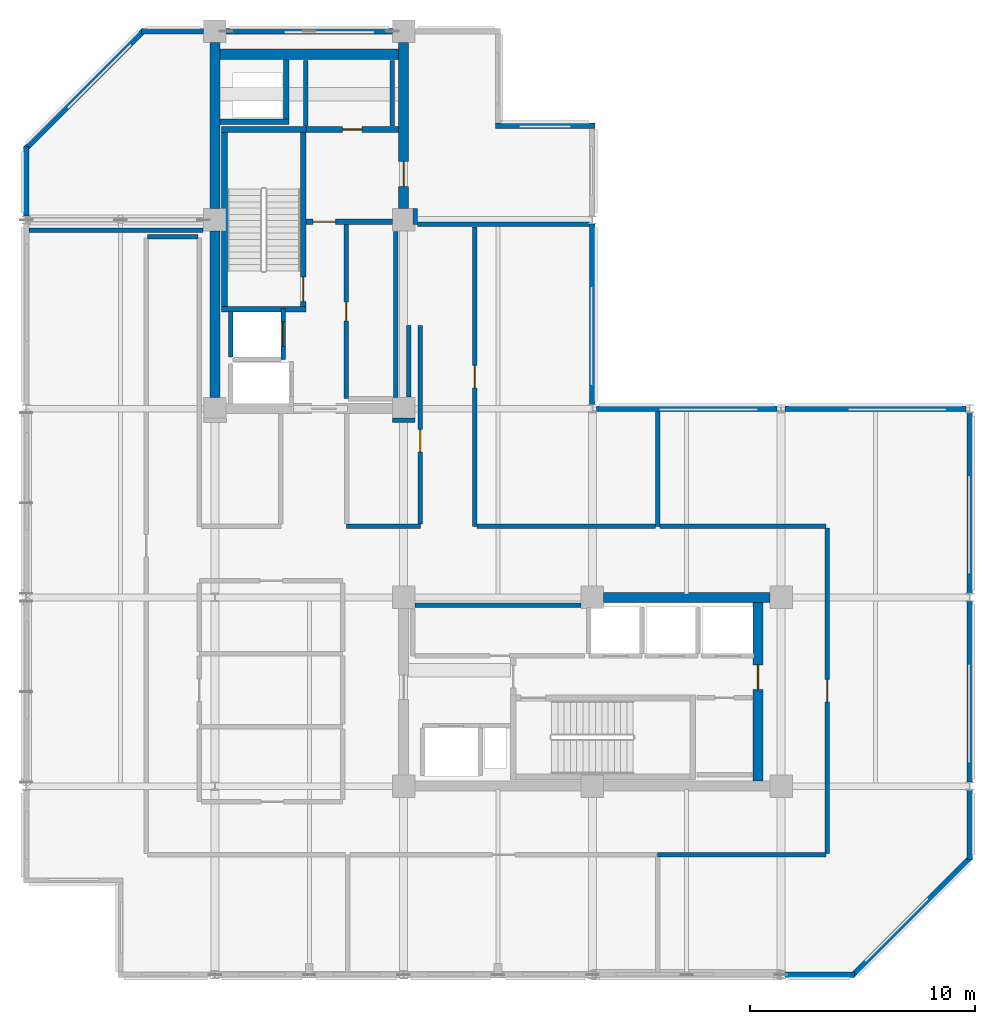
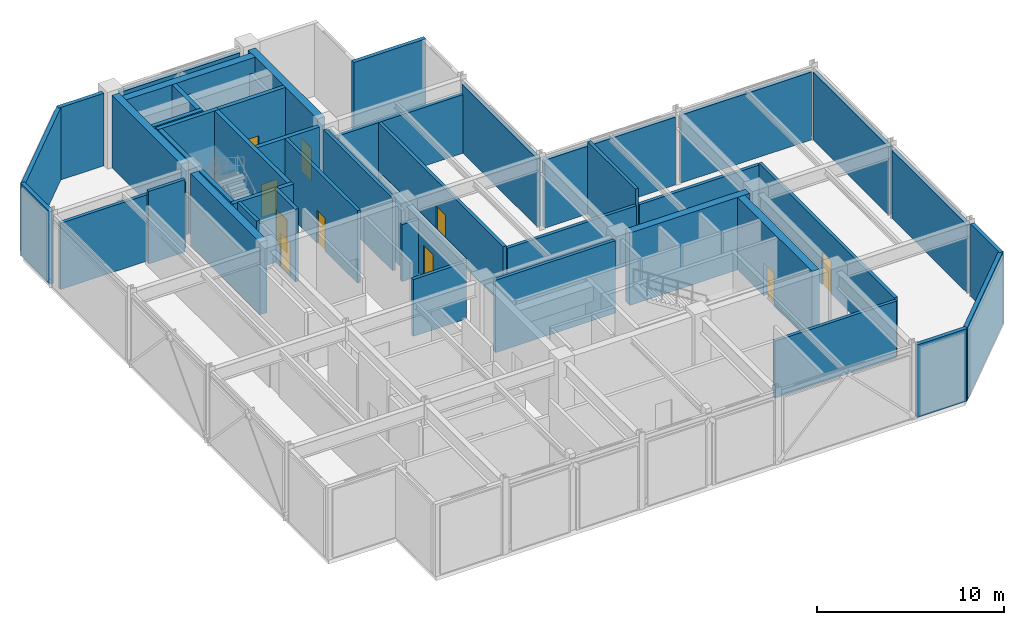
# One storey, part 6 of 10: 48 walls, 10 doors, 10 openings.
"""IFC4 building model written with IfcOpenShell, lengths in metres."""

from ifc_helpers import new_model, si_unit, direction, frame, frame_2d, origin, place, context, subcontext, project, spatial, rectangle, extrude, material, layer, layer_set, type_object, element, fill, save


model = new_model("IFC4")

# Units and contexts
model_context = context("Model", 3, precision=1e-05, world=origin(), true_north=direction((0.0, 1.0)))
body_context = subcontext(model_context, "Body", "Model", "MODEL_VIEW")
ifc_project = project(units=[si_unit("LENGTHUNIT", "METRE"), si_unit("AREAUNIT", "SQUARE_METRE"), si_unit("VOLUMEUNIT", "CUBIC_METRE"), si_unit("PLANEANGLEUNIT", "RADIAN"), si_unit("MASSUNIT", "GRAM", prefix="KILO")], contexts=[model_context])

# Site, building, storey
site_placement = place(None, origin())
site = spatial("IfcSite", under=ifc_project, at=site_placement, CompositionType="ELEMENT")
building_placement = place(site_placement, origin())
building = spatial("IfcBuilding", under=site, at=building_placement, Name="Nerrivon Quay Data Exchange", CompositionType="ELEMENT")
storey_placement = place(building_placement, frame((0.0, 0.0, 245.199951171875)))
storey = spatial("IfcBuildingStorey", under=building, at=storey_placement, Name="L58", CompositionType="ELEMENT", Elevation=245.199951171875)

# Walls
ifc_material_1 = material(Name="Architectural terracotta precast concrete N50 (50 MPa)", Category="masonry")
ifc_layer_1 = layer(ifc_material_1, 0.239990234375)
ifc_layer_set_1 = layer_set([ifc_layer_1], Name="Architectural terracotta precast concrete N50 (50 MPa)")
wall_type_1 = type_object("IfcWallType", Name="EW-PREC-240", PredefinedType="STANDARD", material=ifc_layer_set_1)
wall_1_placement = place(storey_placement, frame((42.052734375, 5.252685546875, 0.0), z_axis=(0.0, 0.0, 1.0), x_axis=(-0.707106781187, -0.707106781187, 0.0)))
element("IfcWall", 1, at=wall_1_placement, inside=storey, type_object=wall_type_1, Name="L58 Plant Enclosure Wall 1", PredefinedType="STANDARD", context=body_context, shape_type="SweptSolid", body=[
    extrude(rectangle(XDim=7.5029296875, YDim=0.239990234375, at=frame_2d((3.75146484375, 0.0))), origin(), (0.0, 0.0, 1.0), 4.72509765625),
])
for number, where, z_axis, x_axis, name in (
    (2, (36.874755859375, 0.0, 0.0), (0.0, 0.0, 1.0), (-1.0, 0.0, 0.0), "L58 Plant Enclosure Wall 2"),
    (3, (0.0, 33.77490234375, 0.0), (0.0, 0.0, 1.0), (0.0, 1.0, 0.0), "L58 Plant Enclosure Wall 15"),
):
    element("IfcWall", number, at=place(storey_placement, frame(where, z_axis=z_axis, x_axis=x_axis)), inside=storey, type_object=wall_type_1, Name=name, PredefinedType="STANDARD", context=body_context, shape_type="SweptSolid", body=[
        extrude(rectangle(XDim=3.099853515625, YDim=0.239990234375, at=frame_2d((1.5498046875, 0.0))), origin(), (0.0, 0.0, 1.0), 4.72509765625),
    ])
wall_2_placement = place(storey_placement, frame((-0.052734375, 36.747314453125, 0.0), z_axis=(0.0, 0.0, 1.0), x_axis=(0.707106781187, 0.707106781187, 0.0)))
element("IfcWall", 4, at=wall_2_placement, inside=storey, type_object=wall_type_1, Name="L58 Plant Enclosure Wall 16", PredefinedType="STANDARD", context=body_context, shape_type="SweptSolid", body=[
    extrude(rectangle(XDim=7.5029296875, YDim=0.239990234375, at=frame_2d((3.75146484375, 0.0))), origin(), (0.0, 0.0, 1.0), 4.72509765625),
])
wall_3_placement = place(storey_placement, frame((5.125244140625, 42.0, 0.0), z_axis=(0.0, 0.0, 1.0), x_axis=(1.0, 0.0, 0.0)))
element("IfcWall", 5, at=wall_3_placement, inside=storey, type_object=wall_type_1, Name="L58 Plant Enclosure Wall 17", PredefinedType="STANDARD", context=body_context, shape_type="SweptSolid", body=[
    extrude(rectangle(XDim=2.774658203125, YDim=0.239990234375, at=frame_2d((1.38720703125, 0.0))), origin(), (0.0, 0.0, 1.0), 4.72509765625),
])
wall_4_placement = place(storey_placement, frame((8.89990234375, 42.0, 0.0), z_axis=(0.0, 0.0, 1.0), x_axis=(1.0, 0.0, 0.0)))
element("IfcWall", 6, at=wall_4_placement, inside=storey, type_object=wall_type_1, Name="L58 Plant Enclosure Wall 18", PredefinedType="STANDARD", context=body_context, shape_type="SweptSolid", body=[
    extrude(rectangle(XDim=7.400146484375, YDim=0.239990234375, at=frame_2d((3.7001953125, 0.0))), origin(), (0.0, 0.0, 1.0), 4.425048828125),
])
wall_5_placement = place(storey_placement, frame((20.8798828125, 37.800048828125, 0.0), z_axis=(0.0, 0.0, 1.0), x_axis=(1.0, 0.0, 0.0)))
element("IfcWall", 7, at=wall_5_placement, inside=storey, type_object=wall_type_1, Name="L58 Plant Enclosure Wall 21", PredefinedType="STANDARD", context=body_context, shape_type="SweptSolid", body=[
    extrude(rectangle(XDim=4.440185546875, YDim=0.239990234375, at=frame_2d((2.22021484375, 0.0))), origin(), (0.0, 0.0, 1.0), 4.72509765625),
])
for number, where, z_axis, x_axis, name in (
    (8, (25.199951171875, 33.425048828125, 0.0), (0.0, 0.0, 1.0), (0.0, -1.0, 0.0), "L58 Plant Enclosure Wall 23"),
    (9, (25.375, 25.199951171875, 0.0), (0.0, 0.0, 1.0), (1.0, 0.0, 0.0), "L58 Plant Enclosure Wall 24"),
    (10, (33.77490234375, 25.199951171875, 0.0), (0.0, 0.0, 1.0), (1.0, 0.0, 0.0), "L58 Plant Enclosure Wall 25"),
):
    element("IfcWall", number, at=place(storey_placement, frame(where, z_axis=z_axis, x_axis=x_axis)), inside=storey, type_object=wall_type_1, Name=name, PredefinedType="STANDARD", context=body_context, shape_type="SweptSolid", body=[
        extrude(rectangle(XDim=8.050048828125, YDim=0.239990234375, at=frame_2d((4.02490234375, 0.0))), origin(), (0.0, 0.0, 1.0), 4.425048828125),
    ])
wall_6_placement = place(storey_placement, frame((42.0, 25.02490234375, 0.0), z_axis=(0.0, 0.0, 1.0), x_axis=(0.0, -1.0, 0.0)))
element("IfcWall", 11, at=wall_6_placement, inside=storey, type_object=wall_type_1, Name="L58 Plant Enclosure Wall 26", PredefinedType="STANDARD", context=body_context, shape_type="SweptSolid", body=[
    extrude(rectangle(XDim=8.0498046875, YDim=0.239990234375, at=frame_2d((4.02490234375, 0.0))), origin(), (0.0, 0.0, 1.0), 4.425048828125),
])
wall_7_placement = place(storey_placement, frame((42.0, 16.625, 0.0), z_axis=(0.0, 0.0, 1.0), x_axis=(0.0, -1.0, 0.0)))
element("IfcWall", 12, at=wall_7_placement, inside=storey, type_object=wall_type_1, Name="L58 Plant Enclosure Wall 27", PredefinedType="STANDARD", context=body_context, shape_type="SweptSolid", body=[
    extrude(rectangle(XDim=8.050048828125, YDim=0.239990234375, at=frame_2d((4.02490234375, 0.0))), origin(), (0.0, 0.0, 1.0), 4.425048828125),
])
wall_8_placement = place(storey_placement, frame((42.0, 8.22509765625, 0.0), z_axis=(0.0, 0.0, 1.0), x_axis=(0.0, -1.0, 0.0)))
element("IfcWall", 13, at=wall_8_placement, inside=storey, type_object=wall_type_1, Name="L58 Plant Enclosure Wall 28", PredefinedType="STANDARD", context=body_context, shape_type="SweptSolid", body=[
    extrude(rectangle(XDim=3.099853515625, YDim=0.239990234375, at=frame_2d((1.5498046875, 0.0))), origin(), (0.0, 0.0, 1.0), 4.72509765625),
])
ifc_material_2 = material(Name="Concrete N50 (50 MPa)", Category="concrete")
ifc_layer_2 = layer(ifc_material_2, 0.449951171875)
ifc_layer_set_2 = layer_set([ifc_layer_2], Name="Concrete N50 (50 MPa)")
wall_type_2 = type_object("IfcWallType", Name="WALL-CW-550", PredefinedType="SHEAR", material=ifc_layer_set_2)
wall_9_placement = place(storey_placement, frame((8.39990234375, 25.699951171875, 0.0), z_axis=(0.0, 0.0, 1.0), x_axis=(0.0, 1.0, 0.0)))
element("IfcWall", 14, at=wall_9_placement, inside=storey, type_object=wall_type_2, Name="L58 West Split-Core Shear Wall WCW-W1", PredefinedType="SHEAR", context=body_context, shape_type="SweptSolid", body=[
    extrude(rectangle(XDim=7.400146484375, YDim=0.449951171875, at=frame_2d((3.7001953125, 0.0))), origin(), (0.0, 0.0, 1.0), 4.72509765625),
])
wall_10_placement = place(storey_placement, frame((8.39990234375, 34.10009765625, 0.0), z_axis=(0.0, 0.0, 1.0), x_axis=(0.0, 1.0, 0.0)))
element("IfcWall", 15, at=wall_10_placement, inside=storey, type_object=wall_type_2, Name="L58 West Split-Core Shear Wall WCW-W2", PredefinedType="SHEAR", context=body_context, shape_type="SweptSolid", body=[
    extrude(rectangle(XDim=7.39990234375, YDim=0.449951171875, at=frame_2d((3.699951171875, 0.0))), origin(), (0.0, 0.0, 1.0), 4.72509765625),
])
wall_11_placement = place(storey_placement, frame((8.625, 40.97509765625, 0.0), z_axis=(0.0, 0.0, 1.0), x_axis=(1.0, 0.0, 0.0)))
element("IfcWall", 16, at=wall_11_placement, inside=storey, type_object=wall_type_2, Name="L58 West Split-Core Shear Wall WCW-N1", PredefinedType="SHEAR", context=body_context, shape_type="SweptSolid", body=[
    extrude(rectangle(XDim=7.949951171875, YDim=0.449951171875, at=frame_2d((3.97509765625, 0.0))), origin(), (0.0, 0.0, 1.0), 4.72509765625),
])

# Wall, opening, door
wall_12_placement = place(storey_placement, frame((16.800048828125, 34.10009765625, 0.0), z_axis=(0.0, 0.0, 1.0), x_axis=(0.0, 1.0, 0.0)))
wall_12 = element("IfcWall", 17, at=wall_12_placement, inside=storey, type_object=wall_type_2, Name="L58 West Split-Core Shear Wall WCW-E1", PredefinedType="SHEAR", context=body_context, shape_type="SweptSolid", body=[
    extrude(rectangle(XDim=7.39990234375, YDim=0.449951171875, at=frame_2d((3.699951171875, 0.0))), origin(), (0.0, 0.0, 1.0), 4.72509765625),
])
opening_1_placement = place(wall_12_placement, frame((1.0, 0.0, 0.0)))
opening_1 = element("IfcOpeningElement", 18, at=opening_1_placement, cuts=wall_12, Name="Opening FD-120", PredefinedType="OPENING", context=body_context, shape_type="SweptSolid", body=[
    extrude(rectangle(XDim=1.10009765625, YDim=2.14990234375, at=frame_2d((0.550048828125, 1.074951171875))), frame((0.0, 0.23486328125, 0.0), z_axis=(0.0, -1.0, 0.0), x_axis=(1.0, 0.0, 0.0)), (0.0, 0.0, 1.0), 0.469970703125),
])
ifc_material_3 = material(Name="Powder-coated galvanized steel sheet", Category="steel")
door_type_1 = type_object("IfcDoorType", Name="DR-FD120-1100", OperationType="NOTDEFINED", PredefinedType="DOOR", material=ifc_material_3)
door_1_placement = place(opening_1_placement, origin())
door_1 = element("IfcDoor", 19, at=door_1_placement, inside=storey, type_object=door_type_1, Name="L58 West Core Lobby Fire Door", OperationType="SINGLE_SWING_RIGHT", OverallHeight=2.14990234375, OverallWidth=1.10009765625, PredefinedType="DOOR", context=body_context, shape_type="SweptSolid", body=[
    extrude(rectangle(XDim=1.10009765625, YDim=2.14990234375, at=frame_2d((0.550048828125, 1.074951171875))), frame((0.0, 0.02490234375, 0.0), z_axis=(0.0, -1.0, 0.0), x_axis=(1.0, 0.0, 0.0)), (0.0, 0.0, 1.0), 0.050048828125),
])
fill(opening_1, door_1)

wall_13_placement = place(storey_placement, frame((32.574951171875, 8.625, 0.0), z_axis=(0.0, 0.0, 1.0), x_axis=(0.0, 1.0, 0.0)))
wall_13 = element("IfcWall", 20, at=wall_13_placement, inside=storey, type_object=wall_type_2, Name="L58 East Split-Core Shear Wall ECW-E1", PredefinedType="SHEAR", context=body_context, shape_type="SweptSolid", body=[
    extrude(rectangle(XDim=7.949951171875, YDim=0.449951171875, at=frame_2d((3.97509765625, 0.0))), origin(), (0.0, 0.0, 1.0), 4.72509765625),
])
opening_2_placement = place(wall_13_placement, frame((4.074951171875, 0.0, 0.0)))
opening_2 = element("IfcOpeningElement", 21, at=opening_2_placement, cuts=wall_13, Name="Opening FD-120", PredefinedType="OPENING", context=body_context, shape_type="SweptSolid", body=[
    extrude(rectangle(XDim=1.10009765625, YDim=2.14990234375, at=frame_2d((0.550048828125, 1.074951171875))), frame((0.0, 0.23486328125, 0.0), z_axis=(0.0, -1.0, 0.0), x_axis=(1.0, 0.0, 0.0)), (0.0, 0.0, 1.0), 0.469970703125),
])
door_2_placement = place(opening_2_placement, origin())
door_2 = element("IfcDoor", 22, at=door_2_placement, inside=storey, type_object=door_type_1, Name="L58 East Core Lobby Fire Door", OperationType="SINGLE_SWING_RIGHT", OverallHeight=2.14990234375, OverallWidth=1.10009765625, PredefinedType="DOOR", context=body_context, shape_type="SweptSolid", body=[
    extrude(rectangle(XDim=1.10009765625, YDim=2.14990234375, at=frame_2d((0.550048828125, 1.074951171875))), frame((0.0, 0.02490234375, 0.0), z_axis=(0.0, -1.0, 0.0), x_axis=(1.0, 0.0, 0.0)), (0.0, 0.0, 1.0), 0.050048828125),
])
fill(opening_2, door_2)

# Wall
wall_14_placement = place(storey_placement, frame((25.699951171875, 16.800048828125, 0.0), z_axis=(0.0, 0.0, 1.0), x_axis=(1.0, 0.0, 0.0)))
element("IfcWall", 23, at=wall_14_placement, inside=storey, type_object=wall_type_2, Name="L58 East Split-Core Shear Wall ECW-N1", PredefinedType="SHEAR", context=body_context, shape_type="SweptSolid", body=[
    extrude(rectangle(XDim=7.400146484375, YDim=0.449951171875, at=frame_2d((3.7001953125, 0.0))), origin(), (0.0, 0.0, 1.0), 4.72509765625),
])

# Wall, opening, door
ifc_material_4 = material(Name="Gypsum plasterboard on cold-formed framing", Category="gypsum")
ifc_layer_3 = layer(ifc_material_4, 0.199951171875)
ifc_layer_set_3 = layer_set([ifc_layer_3], Name="Gypsum plasterboard on cold-formed framing")
wall_type_3 = type_object("IfcWallType", Name="WALL-FW-200", PredefinedType="PARTITIONING", material=ifc_layer_set_3)
wall_15_placement = place(storey_placement, frame((11.449951171875, 27.39990234375, 0.0), z_axis=(0.0, 0.0, 1.0), x_axis=(0.0, 1.0, 0.0)))
wall_15 = element("IfcWall", 24, at=wall_15_placement, inside=storey, type_object=wall_type_3, Name="L58 Lift Front Wall FFL-1", PredefinedType="PARTITIONING", context=body_context, shape_type="SweptSolid", body=[
    extrude(rectangle(XDim=2.25, YDim=0.199951171875, at=frame_2d((1.125, 0.0))), origin(), (0.0, 0.0, 1.0), 4.72509765625),
])
opening_3_placement = place(wall_15_placement, frame((0.574951171875, 0.0, 0.0)))
opening_3 = element("IfcOpeningElement", 25, at=opening_3_placement, cuts=wall_15, Name="Opening LD-120", PredefinedType="OPENING", context=body_context, shape_type="SweptSolid", body=[
    extrude(rectangle(XDim=1.10009765625, YDim=2.199951171875, at=frame_2d((0.550048828125, 1.10009765625))), frame((0.0, 0.10986328125, 0.0), z_axis=(0.0, -1.0, 0.0), x_axis=(1.0, 0.0, 0.0)), (0.0, 0.0, 1.0), 0.219970703125),
])
door_type_2 = type_object("IfcDoorType", Name="DR-LIFT-LD120", OperationType="DOUBLE_DOOR_SLIDING", PredefinedType="DOOR", material=ifc_material_3)
door_3_placement = place(opening_3_placement, origin())
door_3 = element("IfcDoor", 26, at=door_3_placement, inside=storey, type_object=door_type_2, Name="L58 Lift Landing Sliding Door FFL-1", OperationType="DOUBLE_DOOR_SLIDING", OverallHeight=2.199951171875, OverallWidth=1.10009765625, PredefinedType="DOOR", context=body_context, shape_type="SweptSolid", body=[
    extrude(rectangle(XDim=1.10009765625, YDim=2.199951171875, at=frame_2d((0.550048828125, 1.10009765625))), frame((0.0, 0.02490234375, 0.0), z_axis=(0.0, -1.0, 0.0), x_axis=(1.0, 0.0, 0.0)), (0.0, 0.0, 1.0), 0.050048828125),
])
fill(opening_3, door_3)

# Walls
wall_16_placement = place(storey_placement, frame((9.10009765625, 27.5, 0.0), z_axis=(0.0, 0.0, 1.0), x_axis=(0.0, 1.0, 0.0)))
element("IfcWall", 27, at=wall_16_placement, inside=storey, type_object=wall_type_3, Name="L58 Lift Shaft Wall FFL-1 WEST", PredefinedType="PARTITIONING", context=body_context, shape_type="SweptSolid", body=[
    extrude(rectangle(XDim=2.050048828125, YDim=0.199951171875, at=frame_2d((1.02490234375, 0.0))), origin(), (0.0, 0.0, 1.0), 4.72509765625),
])
wall_17_placement = place(storey_placement, frame((16.449951171875, 25.705078125, 0.0), z_axis=(0.0, 0.0, 1.0), x_axis=(0.0, 1.0, 0.0)))
element("IfcWall", 28, at=wall_17_placement, inside=storey, type_object=wall_type_3, Name="L58 Partition Telemetry Hub Closet", PredefinedType="PARTITIONING", context=body_context, shape_type="SweptSolid", body=[
    extrude(rectangle(XDim=7.389892578125, YDim=0.199951171875, at=frame_2d((3.69482421875, 0.0))), origin(), (0.0, 0.0, 1.0), 4.72509765625),
])

# Wall, opening, door
wall_18_placement = place(storey_placement, frame((14.25, 33.389892578125, 0.0), z_axis=(0.0, 0.0, 1.0), x_axis=(0.0, -1.0, 0.0)))
wall_18 = element("IfcWall", 29, at=wall_18_placement, inside=storey, type_object=wall_type_3, Name="L58 Partition Telemetry Hub Closet", PredefinedType="PARTITIONING", context=body_context, shape_type="SweptSolid", body=[
    extrude(rectangle(XDim=7.739990234375, YDim=0.199951171875, at=frame_2d((3.8701171875, 0.0))), origin(), (0.0, 0.0, 1.0), 4.72509765625),
])
opening_4_placement = place(wall_18_placement, frame((3.445068359375, 0.0, 0.0)))
opening_4 = element("IfcOpeningElement", 30, at=opening_4_placement, cuts=wall_18, Name="Opening FD-60S", PredefinedType="OPENING", context=body_context, shape_type="SweptSolid", body=[
    extrude(rectangle(XDim=0.85009765625, YDim=2.14990234375, at=frame_2d((0.425048828125, 1.074951171875))), frame((0.0, 0.10986328125, 0.0), z_axis=(0.0, -1.0, 0.0), x_axis=(1.0, 0.0, 0.0)), (0.0, 0.0, 1.0), 0.219970703125),
])
ifc_material_5 = material(Name="Engineered hardwood timber", Category="wood")
door_type_3 = type_object("IfcDoorType", Name="DR-FD60-850", OperationType="NOTDEFINED", PredefinedType="DOOR", material=ifc_material_5)
door_4_placement = place(opening_4_placement, origin())
door_4 = element("IfcDoor", 31, at=door_4_placement, inside=storey, type_object=door_type_3, Name="L58 Door Telemetry Hub Closet", OperationType="SINGLE_SWING_RIGHT", OverallHeight=2.14990234375, OverallWidth=0.85009765625, PredefinedType="DOOR", context=body_context, shape_type="SweptSolid", body=[
    extrude(rectangle(XDim=0.85009765625, YDim=2.14990234375, at=frame_2d((0.425048828125, 1.074951171875))), frame((0.0, 0.02490234375, 0.0), z_axis=(0.0, -1.0, 0.0), x_axis=(1.0, 0.0, 0.0)), (0.0, 0.0, 1.0), 0.050048828125),
])
fill(opening_4, door_4)

# Walls
for number, where, z_axis, x_axis, name in (
    (32, (16.300048828125, 37.780029296875, 0.0), (0.0, 0.0, 1.0), (0.0, 1.0, 0.0), "L58 Partition Electrical Switchboard Closet"),
    (33, (12.449951171875, 40.699951171875, 0.0), (0.0, 0.0, 1.0), (0.0, -1.0, 0.0), "L58 Partition Electrical Switchboard Closet"),
):
    element("IfcWall", number, at=place(storey_placement, frame(where, z_axis=z_axis, x_axis=x_axis)), inside=storey, type_object=wall_type_3, Name=name, PredefinedType="PARTITIONING", context=body_context, shape_type="SweptSolid", body=[
        extrude(rectangle(XDim=2.919921875, YDim=0.199951171875, at=frame_2d((1.4599609375, 0.0))), origin(), (0.0, 0.0, 1.0), 3.775146484375),
    ])
wall_19_placement = place(storey_placement, frame((24.695068359375, 16.449951171875, 0.0), z_axis=(0.0, 0.0, 1.0), x_axis=(-1.0, 0.0, 0.0)))
element("IfcWall", 34, at=wall_19_placement, inside=storey, type_object=wall_type_3, Name="L58 Partition High-Zone Telemetry Equipment Store", PredefinedType="PARTITIONING", context=body_context, shape_type="SweptSolid", body=[
    extrude(rectangle(XDim=7.39013671875, YDim=0.199951171875, at=frame_2d((3.695068359375, 0.0))), origin(), (0.0, 0.0, 1.0), 4.72509765625),
])
wall_20_placement = place(storey_placement, frame((17.320068359375, 34.10009765625, 0.0), z_axis=(0.0, 0.0, 1.0), x_axis=(0.0, -1.0, 0.0)))
element("IfcWall", 35, at=wall_20_placement, inside=storey, type_object=wall_type_3, Name="L58 Partition Protected Area of Refuge", PredefinedType="PARTITIONING", context=body_context, shape_type="SweptSolid", body=[
    extrude(rectangle(XDim=0.7001953125, YDim=0.199951171875, at=frame_2d((0.35009765625, 0.0))), origin(), (0.0, 0.0, 1.0), 3.824951171875),
])
wall_21_placement = place(storey_placement, frame((17.424072265625, 33.39990234375, 0.0), z_axis=(0.0, 0.0, 1.0), x_axis=(1.0, 0.0, 0.0)))
element("IfcWall", 36, at=wall_21_placement, inside=storey, type_object=wall_type_3, Name="L58 Partition Protected Area of Refuge", PredefinedType="PARTITIONING", context=body_context, shape_type="SweptSolid", body=[
    extrude(rectangle(XDim=7.65185546875, YDim=0.199951171875, at=frame_2d((3.825927734375, 0.0))), origin(), (0.0, 0.0, 1.0), 3.824951171875),
])
wall_22_placement = place(storey_placement, frame((5.39990234375, 32.860107421875, 0.0), z_axis=(0.0, 0.0, 1.0), x_axis=(1.0, 0.0, 0.0)))
element("IfcWall", 37, at=wall_22_placement, inside=storey, type_object=wall_type_3, Name="L58 Partition Standby Generator Hall", PredefinedType="PARTITIONING", context=body_context, shape_type="SweptSolid", body=[
    extrude(rectangle(XDim=2.25, YDim=0.199951171875, at=frame_2d((1.125, 0.0))), origin(), (0.0, 0.0, 1.0), 4.72509765625),
])
wall_23_placement = place(storey_placement, frame((7.8798828125, 33.14990234375, 0.0), z_axis=(0.0, 0.0, 1.0), x_axis=(-1.0, 0.0, 0.0)))
element("IfcWall", 38, at=wall_23_placement, inside=storey, type_object=wall_type_3, Name="L58 Partition Standby Generator Hall", PredefinedType="PARTITIONING", context=body_context, shape_type="SweptSolid", body=[
    extrude(rectangle(XDim=7.755859375, YDim=0.199951171875, at=frame_2d((3.8779296875, 0.0))), origin(), (0.0, 0.0, 1.0), 4.322021484375),
])
wall_24_placement = place(storey_placement, frame((28.10595703125, 25.075927734375, 0.0), z_axis=(0.0, 0.0, 1.0), x_axis=(0.0, -1.0, 0.0)))
element("IfcWall", 39, at=wall_24_placement, inside=storey, type_object=wall_type_3, Name="L58 Partition Chiller Plant Room", PredefinedType="PARTITIONING", context=body_context, shape_type="SweptSolid", body=[
    extrude(rectangle(XDim=5.115966796875, YDim=0.199951171875, at=frame_2d((2.55810546875, 0.0))), origin(), (0.0, 0.0, 1.0), 4.72509765625),
])
wall_25_placement = place(storey_placement, frame((28.2099609375, 19.9599609375, 0.0), z_axis=(0.0, 0.0, 1.0), x_axis=(1.0, 0.0, 0.0)))
element("IfcWall", 40, at=wall_25_placement, inside=storey, type_object=wall_type_3, Name="L58 Partition Chiller Plant Room", PredefinedType="PARTITIONING", context=body_context, shape_type="SweptSolid", body=[
    extrude(rectangle(XDim=7.39013671875, YDim=0.199951171875, at=frame_2d((3.695068359375, 0.0))), origin(), (0.0, 0.0, 1.0), 3.708984375),
])

# Wall, opening, door
wall_26_placement = place(storey_placement, frame((35.659912109375, 19.89990234375, 0.0), z_axis=(0.0, 0.0, 1.0), x_axis=(0.0, -1.0, 0.0)))
wall_26 = element("IfcWall", 41, at=wall_26_placement, inside=storey, type_object=wall_type_3, Name="L58 Partition Chiller Plant Room", PredefinedType="PARTITIONING", context=body_context, shape_type="SweptSolid", body=[
    extrude(rectangle(XDim=14.5, YDim=0.199951171875, at=frame_2d((7.25, 0.0))), origin(), (0.0, 0.0, 1.0), 3.824951171875),
])
opening_5_placement = place(wall_26_placement, frame((6.75, 0.0, 0.0)))
opening_5 = element("IfcOpeningElement", 42, at=opening_5_placement, cuts=wall_26, Name="Opening FD-60", PredefinedType="OPENING", context=body_context, shape_type="SweptSolid", body=[
    extrude(rectangle(XDim=1.0, YDim=2.14990234375, at=frame_2d((0.5, 1.074951171875))), frame((0.0, 0.10986328125, 0.0), z_axis=(0.0, -1.0, 0.0), x_axis=(1.0, 0.0, 0.0)), (0.0, 0.0, 1.0), 0.219970703125),
])
door_type_4 = type_object("IfcDoorType", Name="DR-FD60-1000", OperationType="NOTDEFINED", PredefinedType="DOOR", material=ifc_material_5)
door_5_placement = place(opening_5_placement, origin())
door_5 = element("IfcDoor", 43, at=door_5_placement, inside=storey, type_object=door_type_4, Name="L58 Door Chiller Plant Room", OperationType="SINGLE_SWING_LEFT", OverallHeight=2.14990234375, OverallWidth=1.0, PredefinedType="DOOR", context=body_context, shape_type="SweptSolid", body=[
    extrude(rectangle(XDim=1.0, YDim=2.14990234375, at=frame_2d((0.5, 1.074951171875))), frame((0.0, 0.02490234375, 0.0), z_axis=(0.0, -1.0, 0.0), x_axis=(1.0, 0.0, 0.0)), (0.0, 0.0, 1.0), 0.050048828125),
])
fill(opening_5, door_5)

# Wall
wall_27_placement = place(storey_placement, frame((35.60009765625, 5.340087890625, 0.0), z_axis=(0.0, 0.0, 1.0), x_axis=(-1.0, 0.0, 0.0)))
element("IfcWall", 44, at=wall_27_placement, inside=storey, type_object=wall_type_3, Name="L58 Partition Chiller Plant Room", PredefinedType="PARTITIONING", context=body_context, shape_type="SweptSolid", body=[
    extrude(rectangle(XDim=7.494140625, YDim=0.199951171875, at=frame_2d((3.7470703125, 0.0))), origin(), (0.0, 0.0, 1.0), 3.708984375),
])

# Wall, opening, door
wall_28_placement = place(storey_placement, frame((19.9599609375, 33.2958984375, 0.0), z_axis=(0.0, 0.0, 1.0), x_axis=(0.0, -1.0, 0.0)))
wall_28 = element("IfcWall", 45, at=wall_28_placement, inside=storey, type_object=wall_type_3, Name="L58 Partition Primary AHU Ventilation Room", PredefinedType="PARTITIONING", context=body_context, shape_type="SweptSolid", body=[
    extrude(rectangle(XDim=13.3359375, YDim=0.199951171875, at=frame_2d((6.66796875, 0.0))), origin(), (0.0, 0.0, 1.0), 3.824951171875),
])
opening_6_placement = place(wall_28_placement, frame((6.16796875, 0.0, 0.0)))
opening_6 = element("IfcOpeningElement", 46, at=opening_6_placement, cuts=wall_28, Name="Opening FD-60", PredefinedType="OPENING", context=body_context, shape_type="SweptSolid", body=[
    extrude(rectangle(XDim=1.0, YDim=2.14990234375, at=frame_2d((0.5, 1.074951171875))), frame((0.0, 0.10986328125, 0.0), z_axis=(0.0, -1.0, 0.0), x_axis=(1.0, 0.0, 0.0)), (0.0, 0.0, 1.0), 0.219970703125),
])
door_6_placement = place(opening_6_placement, origin())
door_6 = element("IfcDoor", 47, at=door_6_placement, inside=storey, type_object=door_type_4, Name="L58 Door Primary AHU Ventilation Room", OperationType="SINGLE_SWING_RIGHT", OverallHeight=2.14990234375, OverallWidth=1.0, PredefinedType="DOOR", context=body_context, shape_type="SweptSolid", body=[
    extrude(rectangle(XDim=1.0, YDim=2.14990234375, at=frame_2d((0.5, 1.074951171875))), frame((0.0, 0.02490234375, 0.0), z_axis=(0.0, -1.0, 0.0), x_axis=(1.0, 0.0, 0.0)), (0.0, 0.0, 1.0), 0.050048828125),
])
fill(opening_6, door_6)

# Walls
wall_29_placement = place(storey_placement, frame((20.06396484375, 19.9599609375, 0.0), z_axis=(0.0, 0.0, 1.0), x_axis=(1.0, 0.0, 0.0)))
element("IfcWall", 48, at=wall_29_placement, inside=storey, type_object=wall_type_3, Name="L58 Partition Primary AHU Ventilation Room", PredefinedType="PARTITIONING", context=body_context, shape_type="SweptSolid", body=[
    extrude(rectangle(XDim=7.93798828125, YDim=0.199951171875, at=frame_2d((3.968994140625, 0.0))), origin(), (0.0, 0.0, 1.0), 3.708984375),
])
wall_30_placement = place(storey_placement, frame((14.260009765625, 19.9599609375, 0.0), z_axis=(0.0, 0.0, 1.0), x_axis=(1.0, 0.0, 0.0)))
element("IfcWall", 49, at=wall_30_placement, inside=storey, type_object=wall_type_3, Name="L58 Partition Primary AHU Ventilation Room 8", PredefinedType="PARTITIONING", context=body_context, shape_type="SweptSolid", body=[
    extrude(rectangle(XDim=3.280029296875, YDim=0.199951171875, at=frame_2d((1.64013671875, 0.0))), origin(), (0.0, 0.0, 1.0), 3.708984375),
])

# Wall, opening, door
wall_31_placement = place(storey_placement, frame((17.5400390625, 20.06396484375, 0.0), z_axis=(0.0, 0.0, 1.0), x_axis=(0.0, 1.0, 0.0)))
wall_31 = element("IfcWall", 50, at=wall_31_placement, inside=storey, type_object=wall_type_3, Name="L58 Partition Primary AHU Ventilation Room 8", PredefinedType="PARTITIONING", context=body_context, shape_type="SweptSolid", body=[
    extrude(rectangle(XDim=8.84716796875, YDim=0.199951171875, at=frame_2d((4.423583984375, 0.0))), origin(), (0.0, 0.0, 1.0), 3.824951171875),
])
opening_7_placement = place(wall_31_placement, frame((3.2158203125, 0.0, 0.0)))
opening_7 = element("IfcOpeningElement", 51, at=opening_7_placement, cuts=wall_31, Name="Opening FD-60", PredefinedType="OPENING", context=body_context, shape_type="SweptSolid", body=[
    extrude(rectangle(XDim=1.0, YDim=2.14990234375, at=frame_2d((0.5, 1.074951171875))), frame((0.0, 0.10986328125, 0.0), z_axis=(0.0, -1.0, 0.0), x_axis=(1.0, 0.0, 0.0)), (0.0, 0.0, 1.0), 0.219970703125),
])
door_7_placement = place(opening_7_placement, origin())
door_7 = element("IfcDoor", 52, at=door_7_placement, inside=storey, type_object=door_type_4, Name="L58 Door Primary AHU Ventilation Room 8", OperationType="SINGLE_SWING_LEFT", OverallHeight=2.14990234375, OverallWidth=1.0, PredefinedType="DOOR", context=body_context, shape_type="SweptSolid", body=[
    extrude(rectangle(XDim=1.0, YDim=2.14990234375, at=frame_2d((0.5, 1.074951171875))), frame((0.0, 0.02490234375, 0.0), z_axis=(0.0, -1.0, 0.0), x_axis=(1.0, 0.0, 0.0)), (0.0, 0.0, 1.0), 0.050048828125),
])
fill(opening_7, door_7)

# Walls
wall_32_placement = place(storey_placement, frame((17.02490234375, 28.9111328125, 0.0), z_axis=(0.0, 0.0, 1.0), x_axis=(0.0, -1.0, 0.0)))
element("IfcWall", 53, at=wall_32_placement, inside=storey, type_object=wall_type_3, Name="L58 Partition Primary AHU Ventilation Room 8", PredefinedType="PARTITIONING", context=body_context, shape_type="SweptSolid", body=[
    extrude(rectangle(XDim=3.191162109375, YDim=0.199951171875, at=frame_2d((1.595703125, 0.0))), origin(), (0.0, 0.0, 1.0), 3.708984375),
])
wall_33_placement = place(storey_placement, frame((17.300048828125, 24.679931640625, 0.0), z_axis=(0.0, 0.0, 1.0), x_axis=(-0.999999528702, 0.000970873329, 0.0)))
element("IfcWall", 54, at=wall_33_placement, inside=storey, type_object=wall_type_3, Name="L58 Partition Primary AHU Ventilation Room 8", PredefinedType="PARTITIONING", context=body_context, shape_type="SweptSolid", body=[
    extrude(rectangle(XDim=1.005859375, YDim=0.199951171875, at=frame_2d((0.5029296875, 0.0))), origin(), (0.0, 0.0, 1.0), 3.708984375),
])
ifc_layer_4 = layer(ifc_material_2, 0.25)
ifc_layer_set_4 = layer_set([ifc_layer_4], Name="Concrete N50 (50 MPa)")
wall_type_4 = type_object("IfcWallType", Name="WALL-SW-250", PredefinedType="SHEAR", material=ifc_layer_set_4)
for number, where, z_axis, x_axis, name in (
    (55, (12.449951171875, 29.625, 0.0), (0.0, 0.0, 1.0), (-1.0, 0.0, 0.0), "L58 ST01 Structural Stair Core Wall NEAR"),
    (56, (12.449951171875, 37.625, 0.0), (0.0, 0.0, 1.0), (-1.0, 0.0, 0.0), "L58 ST01 Structural Stair Core Wall FAR"),
):
    element("IfcWall", number, at=place(storey_placement, frame(where, z_axis=z_axis, x_axis=x_axis)), inside=storey, type_object=wall_type_4, Name=name, PredefinedType="SHEAR", context=body_context, shape_type="SweptSolid", body=[
        extrude(rectangle(XDim=3.75, YDim=0.25, at=frame_2d((1.875, 0.0))), origin(), (0.0, 0.0, 1.0), 4.72509765625),
    ])

# Wall, opening, door
wall_34_placement = place(storey_placement, frame((12.324951171875, 29.75, 0.0), z_axis=(0.0, 0.0, 1.0), x_axis=(0.0, 1.0, 0.0)))
wall_34 = element("IfcWall", 57, at=wall_34_placement, inside=storey, type_object=wall_type_4, Name="L58 ST01 Structural Stair Core Wall LEFT", PredefinedType="SHEAR", context=body_context, shape_type="SweptSolid", body=[
    extrude(rectangle(XDim=7.75, YDim=0.25, at=frame_2d((3.875, 0.0))), origin(), (0.0, 0.0, 1.0), 4.72509765625),
])
opening_8_placement = place(wall_34_placement, frame((0.219970703125, 0.0, 0.0)))
opening_8 = element("IfcOpeningElement", 58, at=opening_8_placement, cuts=wall_34, Name="Opening FD-120", PredefinedType="OPENING", context=body_context, shape_type="SweptSolid", body=[
    extrude(rectangle(XDim=1.10009765625, YDim=2.14990234375, at=frame_2d((0.550048828125, 1.074951171875))), frame((0.0, 0.135009765625, 0.0), z_axis=(0.0, -1.0, 0.0), x_axis=(1.0, 0.0, 0.0)), (0.0, 0.0, 1.0), 0.27001953125),
])
door_8_placement = place(opening_8_placement, origin())
door_8 = element("IfcDoor", 59, at=door_8_placement, inside=storey, type_object=door_type_1, Name="L58 Protected Stair Door ST01", OperationType="SINGLE_SWING_RIGHT", OverallHeight=2.14990234375, OverallWidth=1.10009765625, PredefinedType="DOOR", context=body_context, shape_type="SweptSolid", body=[
    extrude(rectangle(XDim=1.10009765625, YDim=2.14990234375, at=frame_2d((0.550048828125, 1.074951171875))), frame((0.0, 0.02490234375, 0.0), z_axis=(0.0, -1.0, 0.0), x_axis=(1.0, 0.0, 0.0)), (0.0, 0.0, 1.0), 0.050048828125),
])
fill(opening_8, door_8)

# Walls
wall_35_placement = place(storey_placement, frame((8.824951171875, 29.75, 0.0), z_axis=(0.0, 0.0, 1.0), x_axis=(0.0, 1.0, 0.0)))
element("IfcWall", 60, at=wall_35_placement, inside=storey, type_object=wall_type_4, Name="L58 ST01 Structural Stair Core Wall RIGHT", PredefinedType="SHEAR", context=body_context, shape_type="SweptSolid", body=[
    extrude(rectangle(XDim=7.75, YDim=0.25, at=frame_2d((3.875, 0.0))), origin(), (0.0, 0.0, 1.0), 4.72509765625),
])
wall_36_placement = place(storey_placement, frame((8.625, 37.97509765625, 0.0), z_axis=(0.0, 0.0, 1.0), x_axis=(1.0, 0.0, 0.0)))
element("IfcWall", 61, at=wall_36_placement, inside=storey, type_object=wall_type_4, Name="L58 West Core MEP Riser Shaft Wall S", PredefinedType="SHEAR", context=body_context, shape_type="SweptSolid", body=[
    extrude(rectangle(XDim=3.074951171875, YDim=0.25, at=frame_2d((1.53759765625, 0.0))), origin(), (0.0, 0.0, 1.0), 4.72509765625),
])
wall_37_placement = place(storey_placement, frame((11.574951171875, 38.10009765625, 0.0), z_axis=(0.0, 0.0, 1.0), x_axis=(0.0, 1.0, 0.0)))
element("IfcWall", 62, at=wall_37_placement, inside=storey, type_object=wall_type_4, Name="L58 West Core MEP Riser Shaft Wall E", PredefinedType="SHEAR", context=body_context, shape_type="SweptSolid", body=[
    extrude(rectangle(XDim=2.64990234375, YDim=0.25, at=frame_2d((1.324951171875, 0.0))), origin(), (0.0, 0.0, 1.0), 4.72509765625),
])

# Wall, opening, door
wall_38_placement = place(storey_placement, frame((12.449951171875, 33.52001953125, 0.0), z_axis=(0.0, 0.0, 1.0), x_axis=(1.0, 0.0, 0.0)))
wall_38 = element("IfcWall", 63, at=wall_38_placement, inside=storey, type_object=wall_type_4, Name="L58 West Lobby Smoke-Stop Wall", PredefinedType="SHEAR", context=body_context, shape_type="SweptSolid", body=[
    extrude(rectangle(XDim=3.85009765625, YDim=0.25, at=frame_2d((1.925048828125, 0.0))), origin(), (0.0, 0.0, 1.0), 4.72509765625),
])
opening_9_placement = place(wall_38_placement, frame((0.320068359375, 0.0, 0.0)))
opening_9 = element("IfcOpeningElement", 64, at=opening_9_placement, cuts=wall_38, Name="Opening FD-60", PredefinedType="OPENING", context=body_context, shape_type="SweptSolid", body=[
    extrude(rectangle(XDim=1.0, YDim=2.14990234375, at=frame_2d((0.5, 1.074951171875))), frame((0.0, 0.135009765625, 0.0), z_axis=(0.0, -1.0, 0.0), x_axis=(1.0, 0.0, 0.0)), (0.0, 0.0, 1.0), 0.27001953125),
])
door_9_placement = place(opening_9_placement, origin())
door_9 = element("IfcDoor", 65, at=door_9_placement, inside=storey, type_object=door_type_4, Name="L58 West Firefighting Lobby Fire Door", OperationType="SINGLE_SWING_RIGHT", OverallHeight=2.14990234375, OverallWidth=1.0, PredefinedType="DOOR", context=body_context, shape_type="SweptSolid", body=[
    extrude(rectangle(XDim=1.0, YDim=2.14990234375, at=frame_2d((0.5, 1.074951171875))), frame((0.0, 0.02490234375, 0.0), z_axis=(0.0, -1.0, 0.0), x_axis=(1.0, 0.0, 0.0)), (0.0, 0.0, 1.0), 0.050048828125),
])
fill(opening_9, door_9)

wall_39_placement = place(storey_placement, frame((12.449951171875, 37.625, 0.0), z_axis=(0.0, 0.0, 1.0), x_axis=(1.0, 0.0, 0.0)))
wall_39 = element("IfcWall", 66, at=wall_39_placement, inside=storey, type_object=wall_type_4, Name="L58 West Firefighting Lobby Wall", PredefinedType="SHEAR", context=body_context, shape_type="SweptSolid", body=[
    extrude(rectangle(XDim=4.125, YDim=0.25, at=frame_2d((2.0625, 0.0))), origin(), (0.0, 0.0, 1.0), 4.72509765625),
])
opening_10_placement = place(wall_39_placement, frame((1.637451171875, 0.0, 0.0)))
opening_10 = element("IfcOpeningElement", 67, at=opening_10_placement, cuts=wall_39, Name="Opening FD-60S", PredefinedType="OPENING", context=body_context, shape_type="SweptSolid", body=[
    extrude(rectangle(XDim=0.85009765625, YDim=2.14990234375, at=frame_2d((0.425048828125, 1.074951171875))), frame((0.0, 0.135009765625, 0.0), z_axis=(0.0, -1.0, 0.0), x_axis=(1.0, 0.0, 0.0)), (0.0, 0.0, 1.0), 0.27001953125),
])
door_10_placement = place(opening_10_placement, origin())
door_10 = element("IfcDoor", 68, at=door_10_placement, inside=storey, type_object=door_type_3, Name="L58 Door Electrical Switchboard Closet", OperationType="SINGLE_SWING_LEFT", OverallHeight=2.14990234375, OverallWidth=0.85009765625, PredefinedType="DOOR", context=body_context, shape_type="SweptSolid", body=[
    extrude(rectangle(XDim=0.85009765625, YDim=2.14990234375, at=frame_2d((0.425048828125, 1.074951171875))), frame((0.0, 0.02490234375, 0.0), z_axis=(0.0, -1.0, 0.0), x_axis=(1.0, 0.0, 0.0)), (0.0, 0.0, 1.0), 0.050048828125),
])
fill(opening_10, door_10)

save(model, "model.ifc")
